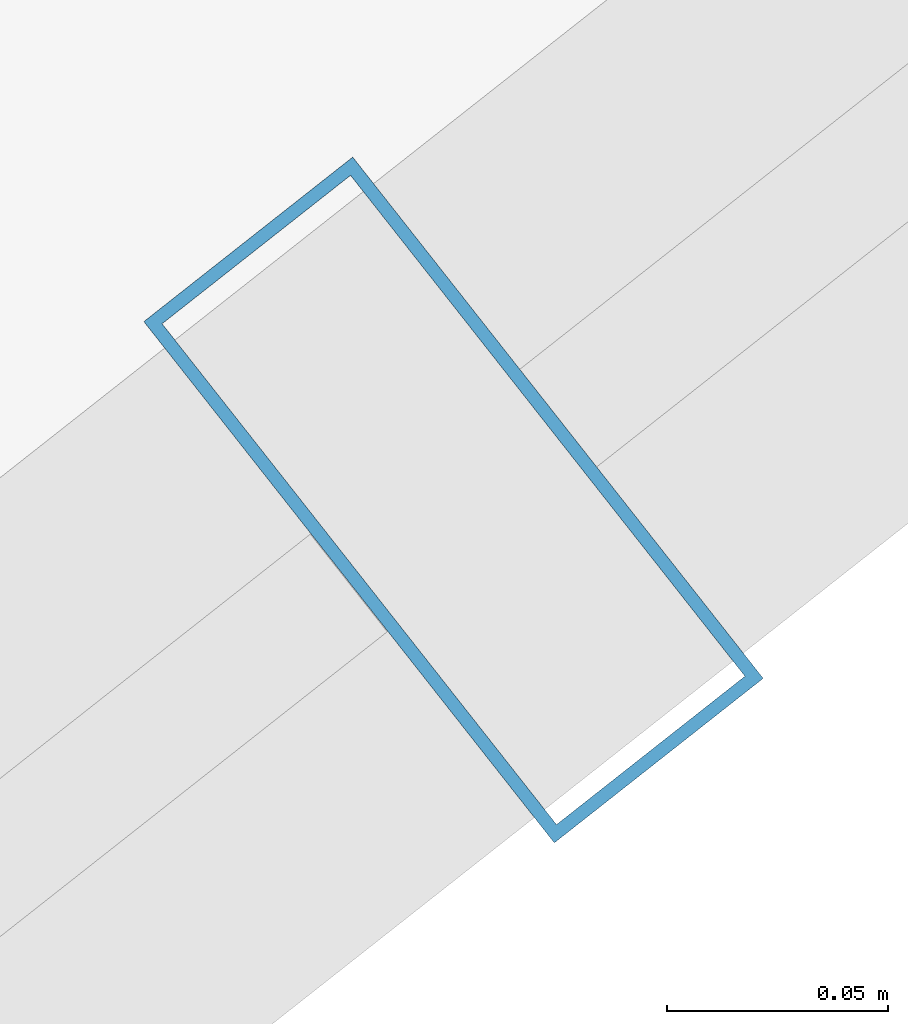
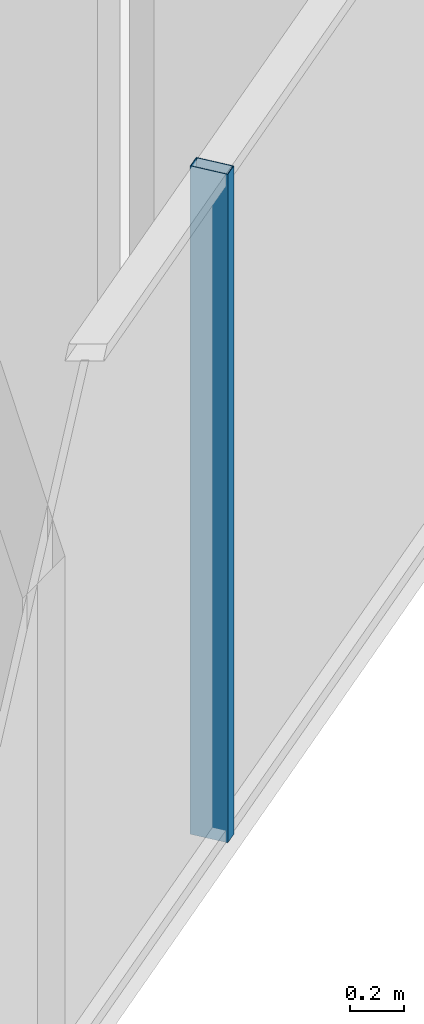
# One storey, part 7 of 31: 1 member, 1 element without a shape of its own.
"""IFC4 building model written with IfcOpenShell, lengths in metres."""

from ifc_helpers import new_model, si_unit, direction, frame, origin, origin_2d, place, context, subcontext, project, spatial, hollow_rectangle, extrude, source, transform, mapped, material, layer, layer_set, material_profile, profile_set, type_object, element, aggregate, save


model = new_model("IFC4")

# Units and contexts
model_context = context("Model", 3, precision=1e-05, world=origin(), true_north=direction((0.0, 1.0)))
body_context = subcontext(model_context, "Body", "Model", "MODEL_VIEW")
ifc_project = project(units=[si_unit("LENGTHUNIT", "METRE"), si_unit("AREAUNIT", "SQUARE_METRE"), si_unit("VOLUMEUNIT", "CUBIC_METRE"), si_unit("PLANEANGLEUNIT", "RADIAN"), si_unit("MASSUNIT", "GRAM", prefix="KILO")], contexts=[model_context])

# Site, building, storey
site_placement = place(None, origin())
site = spatial("IfcSite", under=ifc_project, at=site_placement, CompositionType="ELEMENT")
building_placement = place(site_placement, origin())
building = spatial("IfcBuilding", under=site, at=building_placement, Name="Veraguas Prism Commons", CompositionType="ELEMENT")
storey_placement = place(building_placement, frame((0.0, 0.0, 178.85009765625)))
storey = spatial("IfcBuildingStorey", under=building, at=storey_placement, Name="L50", CompositionType="ELEMENT", Elevation=178.85009765625)

# Curtain wall, member
ifc_material = material(Name="Anodised aluminium EN AW-6063 T6", Category="aluminium")
ifc_layer = layer(ifc_material, 0.14990234375, Name="Unitised Flush Curtain Wall Zone 3", Category="aluminium")
ifc_layer_set = layer_set([ifc_layer], Name="Anodised aluminium EN AW-6063 T6")
curtain_wall_type = type_object("IfcCurtainWallType", Name="Unitised Flush Curtain Wall Zone 3", PredefinedType="NOTDEFINED", material=ifc_layer_set)
curtain_wall_placement = place(storey_placement, origin())
curtain_wall = element("IfcCurtainWall", 1, at=curtain_wall_placement, inside=storey, type_object=curtain_wall_type, Name="Tower Facade Curtain Wall L50-F5", PredefinedType="NOTDEFINED")
ifc_material_profile = material_profile(ifc_material, hollow_rectangle(XDim=0.06005859375, YDim=0.14990234375, WallThickness=0.0029296875, at=origin_2d()), Name="AL60X150X3")
ifc_profile_set = profile_set([ifc_material_profile], Name="Anodised aluminium EN AW-6063 T6")
member_type = type_object("IfcMemberType", Name="Curtain Wall Mullion Upper AL 60x150x3", PredefinedType="MULLION", material=ifc_profile_set)
shared_shape = source(origin(), body_context, "Body", "SweptSolid", [
    extrude(hollow_rectangle(XDim=0.06005859375, YDim=0.14990234375, WallThickness=0.0029296875, at=origin_2d()), origin(), (0.0, 0.0, 1.0), 3.014892578125),
])
member_placement = place(storey_placement, frame((34.95703125, 10.086181640625, 0.0), z_axis=(0.0, 0.0, 1.0), x_axis=(0.785642059854, 0.618681302278, 0.0)))
member = element("IfcMember", 2, at=member_placement, type_object=member_type, Name="CW-Z3 Mullion 3", PredefinedType="MULLION", context=body_context, shape_type="MappedRepresentation", body=[
    mapped(shared_shape, transform((0.0, 0.0, 0.0), scale=1.0)),
])
aggregate(curtain_wall, [member])

save(model, "model.ifc")
